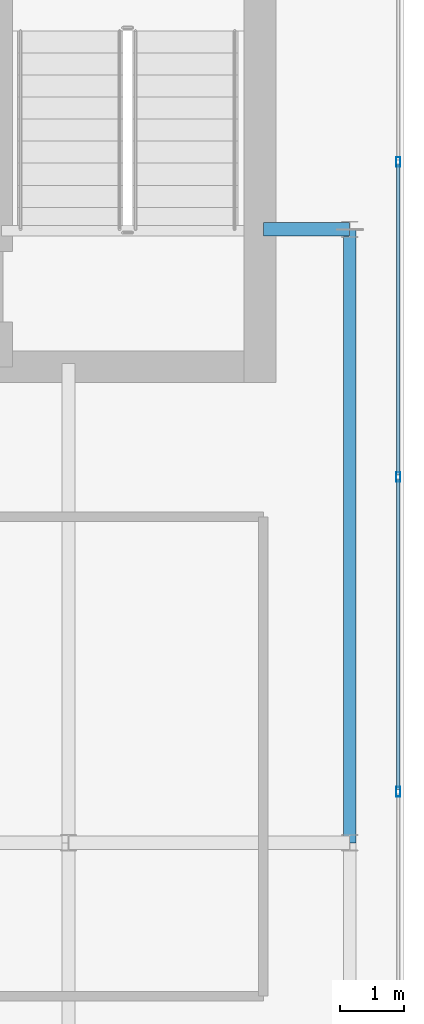
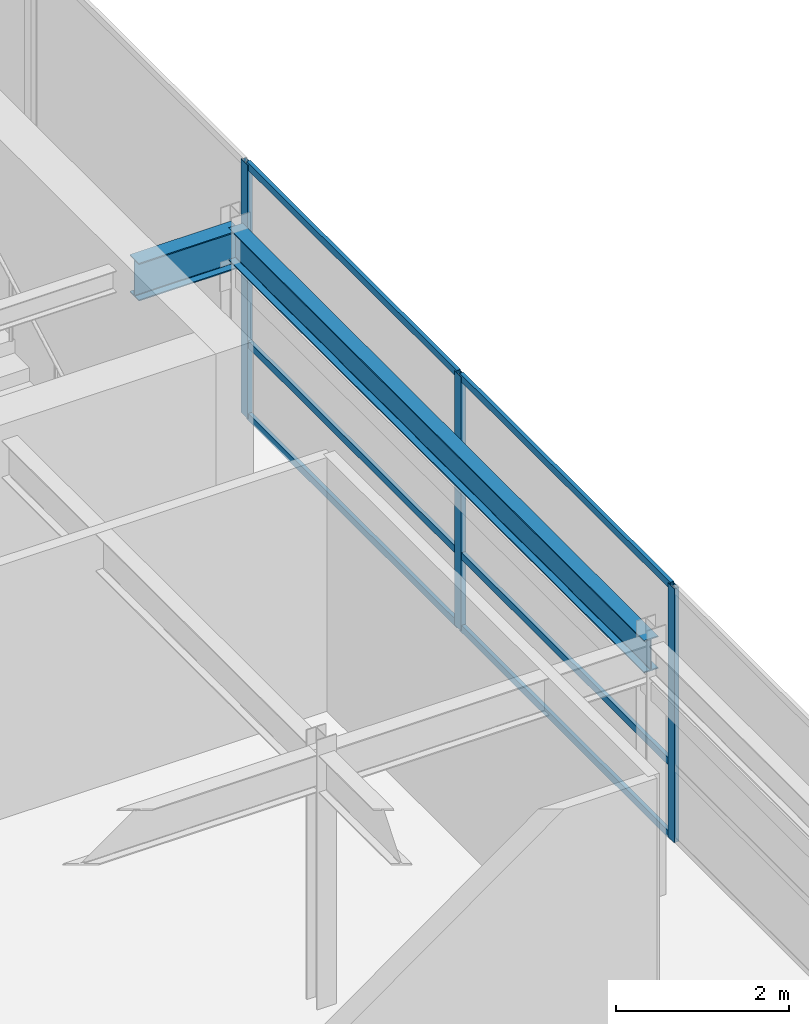
# One storey, part 24 of 36: 9 members, 2 beams, 1 element without a shape of its own.
"""IFC4 building model written with IfcOpenShell, lengths in metres."""

from ifc_helpers import new_model, si_unit, direction, frame, origin, origin_2d, place, context, subcontext, project, spatial, hollow_rectangle, i_section, extrude, source, transform, mapped, material, layer, layer_set, material_profile, profile_set, type_object, type_shapes, element, aggregate, save


model = new_model("IFC4")

# Units and contexts
model_context = context("Model", 3, precision=1e-05, world=origin(), true_north=direction((0.0, 1.0)))
body_context = subcontext(model_context, "Body", "Model", "MODEL_VIEW")
ifc_project = project(units=[si_unit("LENGTHUNIT", "METRE"), si_unit("AREAUNIT", "SQUARE_METRE"), si_unit("VOLUMEUNIT", "CUBIC_METRE"), si_unit("PLANEANGLEUNIT", "RADIAN"), si_unit("MASSUNIT", "GRAM", prefix="KILO")], contexts=[model_context])

# Site, building, storey
site_placement = place(None, origin())
site = spatial("IfcSite", under=ifc_project, at=site_placement, CompositionType="ELEMENT")
building_placement = place(site_placement, origin())
building = spatial("IfcBuilding", under=site, at=building_placement, Name="Tolvann Quenvar Hotel", CompositionType="ELEMENT")
storey_placement = place(building_placement, frame((0.0, 0.0, 306.14990234375)))
storey = spatial("IfcBuildingStorey", under=building, at=storey_placement, Name="L81", CompositionType="ELEMENT", Elevation=306.14990234375)

# Beams
ifc_material_1 = material(Name="Steel Grade 350", Category="steel")
ifc_material_profile_1 = material_profile(ifc_material_1, i_section(OverallWidth=0.19091796875, OverallDepth=0.4599609375, WebThickness=0.010009765625, FlangeThickness=0.01611328125, FilletRadius=0.011474609375, at=origin_2d()), Name="460UB82")
ifc_profile_set_1 = profile_set([ifc_material_profile_1], Name="Steel Grade 350")
beam_type_1 = type_object("IfcBeamType", Name="BM_SPAND_460UB82", PredefinedType="SPANDREL", material=ifc_profile_set_1)
shared_shape_1 = source(origin(), body_context, "Body", "SweptSolid", [
    extrude(i_section(OverallWidth=0.19091796875, OverallDepth=0.4599609375, WebThickness=0.010009765625, FlangeThickness=0.01611328125, FilletRadius=0.011474609375, at=origin_2d()), origin(), (0.0, 0.0, 1.0), 9.60009765625),
])
type_shapes(beam_type_1, [shared_shape_1])
beam_1_placement = place(storey_placement, frame((37.14990234375, 24.39990234375, 3.35009765625), z_axis=(0.0, 1.0, 0.0), x_axis=(-1.0, 0.0, 0.0)))
element("IfcBeam", 1, at=beam_1_placement, inside=storey, type_object=beam_type_1, Name="BM-L81-FLK-G1", PredefinedType="SPANDREL", context=body_context, shape_type="MappedRepresentation", body=[
    mapped(shared_shape_1, transform((0.0, 0.0, 0.0), x_axis=(1.0, 0.0, 0.0), y_axis=(0.0, 1.0, 0.0), z_axis=(0.0, 0.0, 1.0), scale=1.0)),
])
ifc_material_profile_2 = material_profile(ifc_material_1, i_section(OverallWidth=0.208984375, OverallDepth=0.532958984375, WebThickness=0.01025390625, FlangeThickness=0.015625, FilletRadius=0.013916015625, at=origin_2d()), Name="530UB92")
ifc_profile_set_2 = profile_set([ifc_material_profile_2], Name="Steel Grade 350")
beam_type_2 = type_object("IfcBeamType", Name="BM_GIRD_530UB92", PredefinedType="BEAM", material=ifc_profile_set_2)
shared_shape_2 = source(origin(), body_context, "Body", "SweptSolid", [
    extrude(i_section(OverallWidth=0.208984375, OverallDepth=0.532958984375, WebThickness=0.01025390625, FlangeThickness=0.015625, FilletRadius=0.013916015625, at=origin_2d()), origin(), (0.0, 0.0, 1.0), 1.349853515625),
])
type_shapes(beam_type_2, [shared_shape_2])
beam_2_placement = place(storey_placement, frame((35.800048828125, 34.0, 3.3134765625), z_axis=(1.0, 0.0, 0.0), x_axis=(0.0, 1.0, 0.0)))
element("IfcBeam", 2, at=beam_2_placement, inside=storey, type_object=beam_type_2, Name="BM-L81-CTE-GD6", PredefinedType="BEAM", context=body_context, shape_type="MappedRepresentation", body=[
    mapped(shared_shape_2, transform((0.0, 0.0, 0.0), x_axis=(1.0, 0.0, 0.0), y_axis=(0.0, 1.0, 0.0), z_axis=(0.0, 0.0, 1.0), scale=1.0)),
])

# Curtain wall, members
ifc_material_2 = material(Name="Thermally broken anodised architectural aluminium 6063-T6 and laminated low-E glass", Category="aluminium")
ifc_layer = layer(ifc_material_2, 0.179931640625)
ifc_layer_set = layer_set([ifc_layer], Name="Thermally broken anodised architectural aluminium 6063-T6 and laminated low-E glass")
curtain_wall_type = type_object("IfcCurtainWallType", Name="CW_SYS_LANT_06", PredefinedType="USERDEFINED", material=ifc_layer_set)
curtain_wall_placement = place(storey_placement, origin())
curtain_wall = element("IfcCurtainWall", 3, at=curtain_wall_placement, inside=storey, type_object=curtain_wall_type, Name="Curtain Wall CW-LANT-06 (CWR-L81-E09)", ObjectType="UNITISED CURTAIN WALL", PredefinedType="USERDEFINED")
ifc_material_3 = material(Name="Anodised architectural aluminium 6063-T6 framing", Category="aluminium")
ifc_material_profile_3 = material_profile(ifc_material_3, hollow_rectangle(XDim=0.06494140625, YDim=0.14990234375, WallThickness=0.00390625, at=origin_2d()), Name="150x65x4RHS")
ifc_profile_set_3 = profile_set([ifc_material_profile_3], Name="Anodised architectural aluminium 6063-T6 framing")
member_type_1 = type_object("IfcMemberType", Name="CW_MULL_150x65", PredefinedType="MULLION", material=ifc_profile_set_3)
shared_shape_3 = source(origin(), body_context, "Body", "SweptSolid", [
    extrude(hollow_rectangle(XDim=0.06494140625, YDim=0.14990234375, WallThickness=0.00390625, at=origin_2d()), origin(), (0.0, 0.0, 1.0), 3.580078125),
])
type_shapes(member_type_1, [shared_shape_3])
member_1_placement = place(storey_placement, frame((37.909912109375, 25.199951171875, 0.0), z_axis=(0.0, 0.0, 1.0), x_axis=(-1.0, 0.0, 0.0)))
member_1 = element("IfcMember", 4, at=member_1_placement, type_object=member_type_1, Name="CW-LANT-06 mullion 4", PredefinedType="MULLION", context=body_context, shape_type="MappedRepresentation", body=[
    mapped(shared_shape_3, transform((0.0, 0.0, 0.0), x_axis=(1.0, 0.0, 0.0), y_axis=(0.0, 1.0, 0.0), z_axis=(0.0, 0.0, 1.0), scale=1.0)),
])
member_2_placement = place(storey_placement, frame((37.909912109375, 30.127685546875, 0.0), z_axis=(0.0, 0.0, 1.0), x_axis=(-1.0, 0.0, 0.0)))
member_2 = element("IfcMember", 5, at=member_2_placement, type_object=member_type_1, Name="CW-LANT-06 mullion 5", PredefinedType="MULLION", context=body_context, shape_type="MappedRepresentation", body=[
    mapped(shared_shape_3, transform((0.0, 0.0, 0.0), x_axis=(1.0, 0.0, 0.0), y_axis=(0.0, 1.0, 0.0), z_axis=(0.0, 0.0, 1.0), scale=1.0)),
])
member_3_placement = place(storey_placement, frame((37.909912109375, 35.05517578125, 0.0), z_axis=(0.0, 0.0, 1.0), x_axis=(-1.0, 0.0, 0.0)))
member_3 = element("IfcMember", 6, at=member_3_placement, type_object=member_type_1, Name="CW-LANT-06 mullion 6", PredefinedType="MULLION", context=body_context, shape_type="MappedRepresentation", body=[
    mapped(shared_shape_3, transform((0.0, 0.0, 0.0), x_axis=(1.0, 0.0, 0.0), y_axis=(0.0, 1.0, 0.0), z_axis=(0.0, 0.0, 1.0), scale=1.0)),
])
ifc_material_profile_4 = material_profile(ifc_material_3, hollow_rectangle(XDim=0.050048828125, YDim=0.10009765625, WallThickness=0.0029296875, at=origin_2d()), Name="100x50x3RHS")
ifc_profile_set_4 = profile_set([ifc_material_profile_4], Name="Anodised architectural aluminium 6063-T6 framing")
member_type_2 = type_object("IfcMemberType", Name="CW_TRAN_100x50", PredefinedType="USERDEFINED", material=ifc_profile_set_4)
shared_shape_4 = source(origin(), body_context, "Body", "SweptSolid", [
    extrude(hollow_rectangle(XDim=0.050048828125, YDim=0.10009765625, WallThickness=0.0029296875, at=origin_2d()), origin(), (0.0, 0.0, 1.0), 4.86279296875),
])
member_4_placement = place(storey_placement, frame((37.909912109375, 25.232421875, 0.025146484375), z_axis=(0.0, 1.0, 0.0), x_axis=(-1.0, 0.0, 0.0)))
member_4 = element("IfcMember", 7, at=member_4_placement, type_object=member_type_2, Name="CW-LANT-06 transom 4.1", ObjectType="TRANSOM", PredefinedType="USERDEFINED", context=body_context, shape_type="MappedRepresentation", body=[
    mapped(shared_shape_4, transform((0.0, 0.0, 0.0), x_axis=(1.0, 0.0, 0.0), y_axis=(0.0, 1.0, 0.0), z_axis=(0.0, 0.0, 1.0), scale=1.0)),
])
member_5_placement = place(storey_placement, frame((37.909912109375, 25.232421875, 1.050048828125), z_axis=(0.0, 1.0, 0.0), x_axis=(-1.0, 0.0, 0.0)))
member_5 = element("IfcMember", 8, at=member_5_placement, type_object=member_type_2, Name="CW-LANT-06 transom 4.2", ObjectType="TRANSOM", PredefinedType="USERDEFINED", context=body_context, shape_type="MappedRepresentation", body=[
    mapped(shared_shape_4, transform((0.0, 0.0, 0.0), x_axis=(1.0, 0.0, 0.0), y_axis=(0.0, 1.0, 0.0), z_axis=(0.0, 0.0, 1.0), scale=1.0)),
])
member_6_placement = place(storey_placement, frame((37.909912109375, 25.232421875, 3.55517578125), z_axis=(0.0, 1.0, 0.0), x_axis=(-1.0, 0.0, 0.0)))
member_6 = element("IfcMember", 9, at=member_6_placement, type_object=member_type_2, Name="CW-LANT-06 transom 4.3", ObjectType="TRANSOM", PredefinedType="USERDEFINED", context=body_context, shape_type="MappedRepresentation", body=[
    mapped(shared_shape_4, transform((0.0, 0.0, 0.0), x_axis=(1.0, 0.0, 0.0), y_axis=(0.0, 1.0, 0.0), z_axis=(0.0, 0.0, 1.0), scale=1.0)),
])
shared_shape_5 = source(origin(), body_context, "Body", "SweptSolid", [
    extrude(hollow_rectangle(XDim=0.050048828125, YDim=0.10009765625, WallThickness=0.0029296875, at=origin_2d()), origin(), (0.0, 0.0, 1.0), 4.862548828125),
])
type_shapes(member_type_2, [shared_shape_4, shared_shape_5])
member_7_placement = place(storey_placement, frame((37.909912109375, 30.16015625, 0.025146484375), z_axis=(0.0, 1.0, 0.0), x_axis=(-1.0, 0.0, 0.0)))
member_7 = element("IfcMember", 10, at=member_7_placement, type_object=member_type_2, Name="CW-LANT-06 transom 5.1", ObjectType="TRANSOM", PredefinedType="USERDEFINED", context=body_context, shape_type="MappedRepresentation", body=[
    mapped(shared_shape_5, transform((0.0, 0.0, 0.0), x_axis=(1.0, 0.0, 0.0), y_axis=(0.0, 1.0, 0.0), z_axis=(0.0, 0.0, 1.0), scale=1.0)),
])
member_8_placement = place(storey_placement, frame((37.909912109375, 30.16015625, 1.050048828125), z_axis=(0.0, 1.0, 0.0), x_axis=(-1.0, 0.0, 0.0)))
member_8 = element("IfcMember", 11, at=member_8_placement, type_object=member_type_2, Name="CW-LANT-06 transom 5.2", ObjectType="TRANSOM", PredefinedType="USERDEFINED", context=body_context, shape_type="MappedRepresentation", body=[
    mapped(shared_shape_5, transform((0.0, 0.0, 0.0), x_axis=(1.0, 0.0, 0.0), y_axis=(0.0, 1.0, 0.0), z_axis=(0.0, 0.0, 1.0), scale=1.0)),
])
member_9_placement = place(storey_placement, frame((37.909912109375, 30.16015625, 3.55517578125), z_axis=(0.0, 1.0, 0.0), x_axis=(-1.0, 0.0, 0.0)))
member_9 = element("IfcMember", 12, at=member_9_placement, type_object=member_type_2, Name="CW-LANT-06 transom 5.3", ObjectType="TRANSOM", PredefinedType="USERDEFINED", context=body_context, shape_type="MappedRepresentation", body=[
    mapped(shared_shape_5, transform((0.0, 0.0, 0.0), x_axis=(1.0, 0.0, 0.0), y_axis=(0.0, 1.0, 0.0), z_axis=(0.0, 0.0, 1.0), scale=1.0)),
])
aggregate(curtain_wall, [member_1, member_2, member_3, member_4, member_5, member_6, member_7, member_8, member_9])

save(model, "model.ifc")
